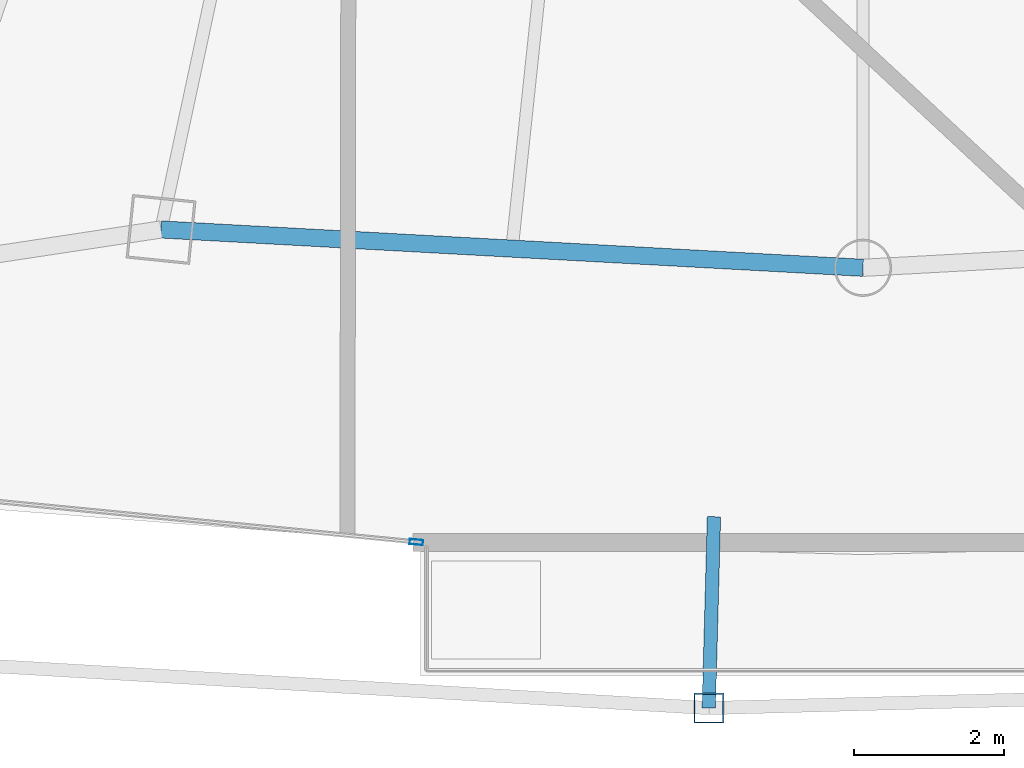
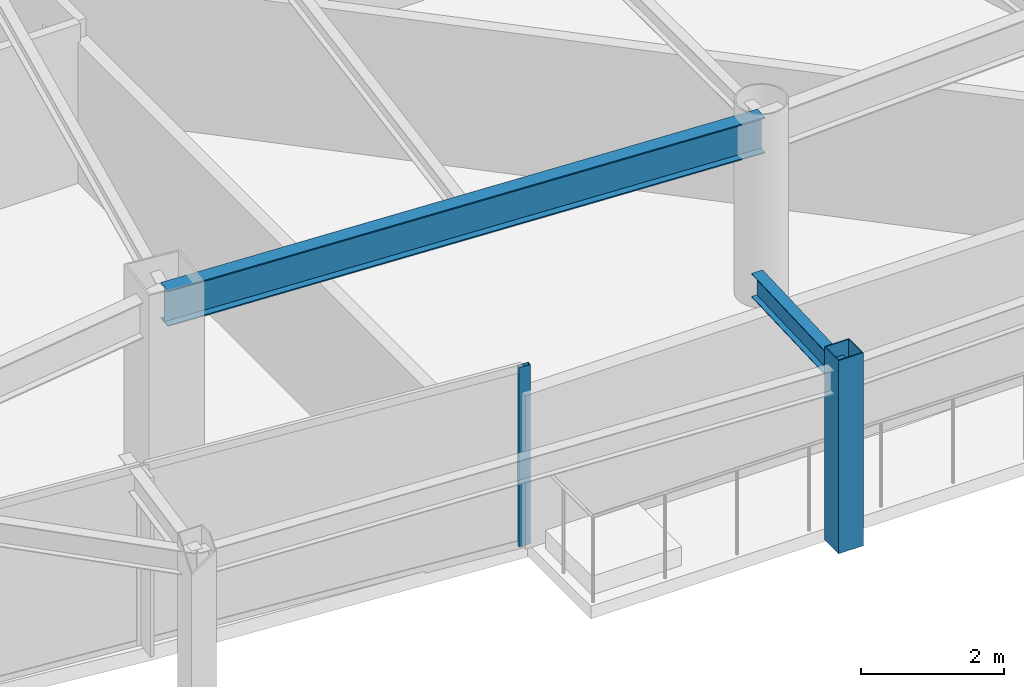
# One storey, part 6 of 31: 2 beams, 2 members, 1 element without a shape of its own.
"""IFC4 building model written with IfcOpenShell, lengths in metres."""

from ifc_helpers import new_model, si_unit, direction, frame, origin, origin_2d, place, context, subcontext, project, spatial, hollow_rectangle, i_section, extrude, material, layer, layer_set, material_profile, profile_set, type_object, element, aggregate, save


model = new_model("IFC4")

# Units and contexts
model_context = context("Model", 3, precision=1e-05, world=origin(), true_north=direction((0.0, 1.0)))
body_context = subcontext(model_context, "Body", "Model", "MODEL_VIEW")
ifc_project = project(units=[si_unit("LENGTHUNIT", "METRE"), si_unit("AREAUNIT", "SQUARE_METRE"), si_unit("VOLUMEUNIT", "CUBIC_METRE"), si_unit("PLANEANGLEUNIT", "RADIAN"), si_unit("MASSUNIT", "GRAM", prefix="KILO")], contexts=[model_context])

# Site, building, storey
site_placement = place(None, origin())
site = spatial("IfcSite", under=ifc_project, at=site_placement, CompositionType="ELEMENT")
building_placement = place(site_placement, origin())
building = spatial("IfcBuilding", under=site, at=building_placement, Name="Orvanel Arch Residences", CompositionType="ELEMENT")
storey_placement = place(building_placement, frame((0.0, 0.0, 129.800048828125)))
storey = spatial("IfcBuildingStorey", under=building, at=storey_placement, Name="L36", CompositionType="ELEMENT", Elevation=129.800048828125)

# Curtain wall, member
ifc_material_1 = material(Name="Bronze-anodised aluminium AA6063-T6", Category="aluminium")
ifc_layer = layer(ifc_material_1, 0.179931640625)
ifc_layer_set = layer_set([ifc_layer], Name="Bronze-anodised aluminium AA6063-T6")
curtain_wall_type = type_object("IfcCurtainWallType", Name="CW3-MID-SYS", PredefinedType="NOTDEFINED", material=ifc_layer_set)
curtain_wall_placement = place(storey_placement, origin())
curtain_wall = element("IfcCurtainWall", 1, at=curtain_wall_placement, inside=storey, type_object=curtain_wall_type, Name="L36 CW3-MID-SYS Unitised Curtain Wall", PredefinedType="NOTDEFINED")
ifc_material_profile_1 = material_profile(ifc_material_1, hollow_rectangle(XDim=0.070068359375, YDim=0.179931640625, WallThickness=0.00439453125, at=origin_2d()), Name="ALU180x70x4.5")
ifc_profile_set_1 = profile_set([ifc_material_profile_1], Name="Bronze-anodised aluminium AA6063-T6")
member_type_1 = type_object("IfcMemberType", Name="MUL-180x70", PredefinedType="MULLION", material=ifc_profile_set_1)
member_1_placement = place(storey_placement, frame((27.050048828125, 3.1904296875, 0.0), z_axis=(0.0, 0.0, 1.0), x_axis=(0.096408125648, 0.995341887649, 0.0)))
member_1 = element("IfcMember", 2, at=member_1_placement, type_object=member_type_1, Name="CW-S3 mullion 3", PredefinedType="MULLION", context=body_context, shape_type="SweptSolid", body=[
    extrude(hollow_rectangle(XDim=0.070068359375, YDim=0.179931640625, WallThickness=0.00439453125, at=origin_2d()), origin(), (0.0, 0.0, 1.0), 3.06005859375),
])
aggregate(curtain_wall, [member_1])

# Beams
ifc_material_2 = material(Name="Structural steel AS/NZS 3679.1 Grade 300 (300 MPa)", Category="steel")
ifc_material_profile_2 = material_profile(ifc_material_2, i_section(OverallWidth=0.177978515625, OverallDepth=0.406005859375, WebThickness=0.0078125, FlangeThickness=0.0126953125, at=origin_2d()), Name="410UB59.7")
ifc_profile_set_2 = profile_set([ifc_material_profile_2], Name="Structural steel AS/NZS 3679.1 Grade 300 (300 MPa)")
beam_type_1 = type_object("IfcBeamType", Name="OB-410UB-EXT", PredefinedType="SPANDREL", material=ifc_profile_set_2)
beam_1_placement = place(storey_placement, frame((31.014892578125, 3.528076171875, 2.85693359375), z_axis=(-0.026999061336, -0.999635458898, 0.0), x_axis=(0.999635458898, -0.026999061336, 0.0)))
element("IfcBeam", 3, at=beam_1_placement, inside=storey, type_object=beam_type_1, Name="L36 Outer Frame Radial Tie Beam 06", PredefinedType="SPANDREL", context=body_context, shape_type="SweptSolid", body=[
    extrude(i_section(OverallWidth=0.177978515625, OverallDepth=0.406005859375, WebThickness=0.0078125, FlangeThickness=0.0126953125, at=origin_2d()), origin(), (0.0, 0.0, 1.0), 2.550048828125),
])
ifc_material_profile_3 = material_profile(ifc_material_2, i_section(OverallWidth=0.22900390625, OverallDepth=0.612060546875, WebThickness=0.011962890625, FlangeThickness=0.01953125, at=origin_2d()), Name="610UB125")
ifc_profile_set_3 = profile_set([ifc_material_profile_3], Name="Structural steel AS/NZS 3679.1 Grade 300 (300 MPa)")
beam_type_2 = type_object("IfcBeamType", Name="SP-610UB", PredefinedType="SPANDREL", material=ifc_profile_set_3)
beam_2_placement = place(storey_placement, frame((23.64892578125, 7.35498046875, 2.75390625), z_axis=(0.998510315598, -0.054563262768, 0.0), x_axis=(0.054563262768, 0.998510315598, 0.0)))
element("IfcBeam", 4, at=beam_2_placement, inside=storey, type_object=beam_type_2, Name="L36 Perimeter Spandrel Beam 05", PredefinedType="SPANDREL", context=body_context, shape_type="SweptSolid", body=[
    extrude(i_section(OverallWidth=0.22900390625, OverallDepth=0.612060546875, WebThickness=0.011962890625, FlangeThickness=0.01953125, at=origin_2d()), origin(), (0.0, 0.0, 1.0), 9.364990234375),
])

# Member
ifc_material_3 = material(Name="Structural steel AS/NZS 1163 C450L0 (Grade 450)", Category="steel")
ifc_material_profile_4 = material_profile(ifc_material_3, hollow_rectangle(XDim=0.39990234375, YDim=0.39990234375, WallThickness=0.01611328125, at=origin_2d()), Name="SHS400x400x16")
ifc_profile_set_4 = profile_set([ifc_material_profile_4], Name="Structural steel AS/NZS 1163 C450L0 (Grade 450)")
member_type_2 = type_object("IfcMemberType", Name="ST-400SHS-EXT", PredefinedType="STRUT", material=ifc_profile_set_4)
member_2_placement = place(storey_placement, frame((30.946044921875, 0.97900390625, 0.0), z_axis=(0.0, 0.0, 1.0), x_axis=(1.0, 0.0, 0.0)))
element("IfcMember", 5, at=member_2_placement, inside=storey, type_object=member_type_2, Name="L36 Outer Perimeter Frame Post 06", PredefinedType="STRUT", context=body_context, shape_type="SweptSolid", body=[
    extrude(hollow_rectangle(XDim=0.39990234375, YDim=0.39990234375, WallThickness=0.01611328125, at=origin_2d()), origin(), (0.0, 0.0, 1.0), 3.300048828125),
])

save(model, "model.ifc")
